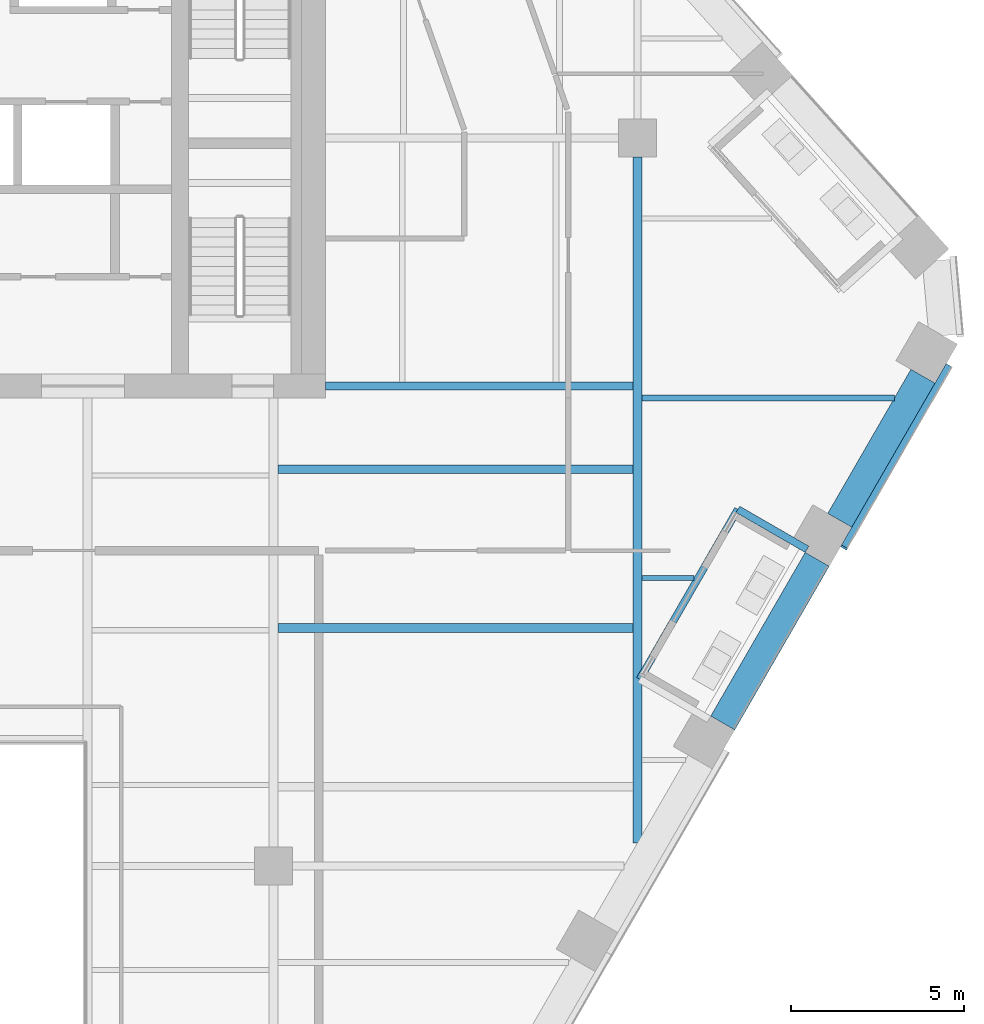
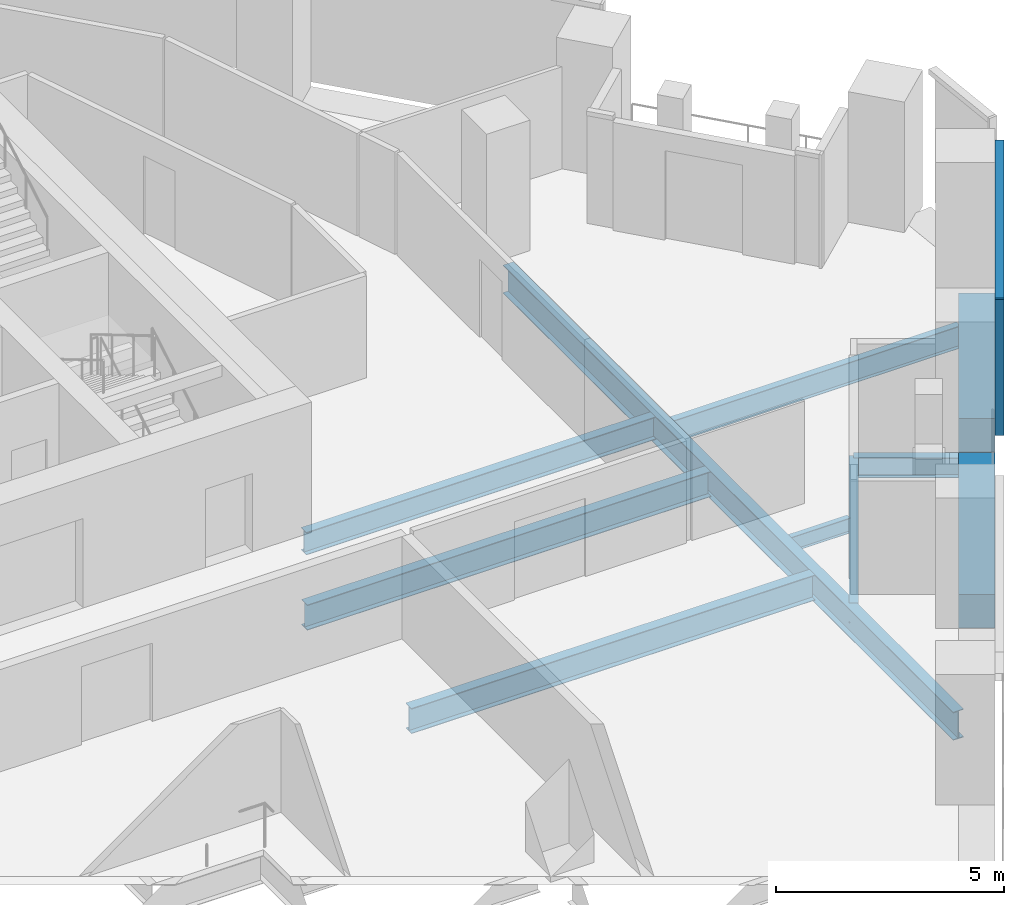
# One storey, part 7 of 26: 10 beams, 2 members, 1 element without a shape of its own.
"""IFC4 building model written with IfcOpenShell, lengths in metres."""

from ifc_helpers import new_model, si_unit, direction, frame, origin, origin_2d, place, context, subcontext, project, spatial, rectangle, i_section, extrude, material, layer, layer_set, material_profile, profile_set, type_object, element, aggregate, save


model = new_model("IFC4")

# Units and contexts
model_context = context("Model", 3, precision=1e-05, world=origin(), true_north=direction((0.0, 1.0)))
body_context = subcontext(model_context, "Body", "Model", "MODEL_VIEW")
ifc_project = project(units=[si_unit("LENGTHUNIT", "METRE"), si_unit("AREAUNIT", "SQUARE_METRE"), si_unit("VOLUMEUNIT", "CUBIC_METRE"), si_unit("PLANEANGLEUNIT", "RADIAN"), si_unit("MASSUNIT", "GRAM", prefix="KILO")], contexts=[model_context])

# Site, building, storey
site_placement = place(None, origin())
site = spatial("IfcSite", under=ifc_project, at=site_placement, CompositionType="ELEMENT")
building_placement = place(site_placement, origin())
building = spatial("IfcBuilding", under=site, at=building_placement, Name="Isthmus Gate Tower", CompositionType="ELEMENT")
storey_placement = place(building_placement, frame((0.0, 0.0, 189.050048828125)))
storey = spatial("IfcBuildingStorey", under=building, at=storey_placement, Name="L47", CompositionType="ELEMENT", Elevation=189.050048828125)

# Curtain wall, members
ifc_material_1 = material(Name="Aluminium, pale champagne anodised", Category="aluminium")
ifc_layer = layer(ifc_material_1, 0.199951171875)
ifc_layer_set = layer_set([ifc_layer], Name="CW-1 UNITISED CURTAIN WALL 200 DEEP")
curtain_wall_type = type_object("IfcCurtainWallType", Name="CW-1 UNITISED CURTAIN WALL 200 DEEP", PredefinedType="NOTDEFINED", material=ifc_layer_set)
curtain_wall_placement = place(storey_placement, origin())
curtain_wall = element("IfcCurtainWall", 1, at=curtain_wall_placement, inside=storey, type_object=curtain_wall_type, Name="CW-1 SE L47", PredefinedType="NOTDEFINED")
ifc_material_2 = material(Name="Aluminium, pale champagne anodised", Category="aluminium")
ifc_material_profile_1 = material_profile(ifc_material_2, rectangle(XDim=0.06005859375, YDim=0.199951171875, at=origin_2d()), Name="60x200")
ifc_profile_set_1 = profile_set([ifc_material_profile_1], Name="Aluminium, pale champagne anodised")
member_type_1 = type_object("IfcMemberType", Name="CW-1 MULLION 60 X 200", PredefinedType="MULLION", material=ifc_profile_set_1)
member_1_placement = place(storey_placement, frame((29.956298828125, -4.314208984375, 0.0), z_axis=(0.0, 0.0, 1.0), x_axis=(0.5, 0.866025403784, 0.0)))
member_1 = element("IfcMember", 2, at=member_1_placement, type_object=member_type_1, Name="CW-1 mullion", PredefinedType="MULLION", context=body_context, shape_type="SweptSolid", body=[
    extrude(rectangle(XDim=0.06005859375, YDim=0.199951171875, at=origin_2d()), origin(), (0.0, 0.0, 1.0), 3.64990234375),
])
ifc_material_3 = material(Name="Aluminium, pale champagne anodised", Category="aluminium")
ifc_material_profile_2 = material_profile(ifc_material_3, rectangle(XDim=0.199951171875, YDim=0.139892578125, at=origin_2d()), Name="200x140")
ifc_profile_set_2 = profile_set([ifc_material_profile_2], Name="Aluminium, pale champagne anodised")
member_type_2 = type_object("IfcMemberType", Name="CW-1 TRANSOM 200 X 140", PredefinedType="USERDEFINED", material=ifc_profile_set_2)
member_2_placement = place(storey_placement, frame((29.97119140625, -4.288330078125, 3.579833984375), z_axis=(0.499990697366, 0.866030774596, 0.0), x_axis=(-0.866030774596, 0.499990697366, 0.0)))
member_2 = element("IfcMember", 3, at=member_2_placement, type_object=member_type_2, Name="CW-1 transom", ObjectType="TRANSOM", PredefinedType="USERDEFINED", context=body_context, shape_type="SweptSolid", body=[
    extrude(rectangle(XDim=0.199951171875, YDim=0.139892578125, at=origin_2d()), origin(), (0.0, 0.0, 1.0), 6.0400390625),
])
aggregate(curtain_wall, [member_1, member_2])

# Beams
ifc_material_4 = material(Name="Concrete f'c 60 MPa", Category="concrete")
ifc_material_profile_3 = material_profile(ifc_material_4, rectangle(XDim=0.800048828125, YDim=0.89990234375, at=origin_2d()), Name="RC 800X900")
ifc_profile_set_3 = profile_set([ifc_material_profile_3], Name="Concrete f'c 60 MPa")
beam_type_1 = type_object("IfcBeamType", Name="RC SPANDREL 800 X 900", PredefinedType="SPANDREL", material=ifc_profile_set_3)
beam_1_placement = place(storey_placement, frame((32.2333984375, 0.629638671875, -0.449951171875), z_axis=(-0.500017431331, -0.866015339567, 0.0), x_axis=(0.866015339567, -0.500017431331, 0.0)))
element("IfcBeam", 4, at=beam_1_placement, inside=storey, type_object=beam_type_1, Name="str-spandrel-L47-06", PredefinedType="SPANDREL", context=body_context, shape_type="SweptSolid", body=[
    extrude(rectangle(XDim=0.800048828125, YDim=0.89990234375, at=origin_2d()), origin(), (0.0, 0.0, 1.0), 4.800048828125),
])
beam_2_placement = place(storey_placement, frame((29.18310546875, -4.653076171875, -0.449951171875), z_axis=(-0.49996933381, -0.866043108194, 0.0), x_axis=(0.866043108194, -0.49996933381, 0.0)))
element("IfcBeam", 5, at=beam_2_placement, inside=storey, type_object=beam_type_1, Name="str-spandrel-L47-07", PredefinedType="SPANDREL", context=body_context, shape_type="SweptSolid", body=[
    extrude(rectangle(XDim=0.800048828125, YDim=0.89990234375, at=origin_2d()), origin(), (0.0, 0.0, 1.0), 5.449951171875),
])
ifc_material_5 = material(Name="Structural steel ASTM A992 Gr 50", Category="steel")
ifc_material_profile_4 = material_profile(ifc_material_5, i_section(OverallWidth=0.1396484375, OverallDepth=0.4033203125, WebThickness=0.00634765625, FlangeThickness=0.010986328125, at=origin_2d()), Name="W16X31")
ifc_profile_set_4 = profile_set([ifc_material_profile_4], Name="Structural steel ASTM A992 Gr 50")
beam_type_2 = type_object("IfcBeamType", Name="STEEL FLOOR BEAM W16X31", PredefinedType="JOIST", material=ifc_profile_set_4)
beam_3_placement = place(storey_placement, frame((24.13330078125, -5.187744140625, -0.3515625), z_axis=(1.0, 0.0, 0.0), x_axis=(0.0, 1.0, 0.0)))
element("IfcBeam", 6, at=beam_3_placement, inside=storey, type_object=beam_type_2, Name="str-beam-L47-19-00", PredefinedType="JOIST", context=body_context, shape_type="SweptSolid", body=[
    extrude(i_section(OverallWidth=0.1396484375, OverallDepth=0.4033203125, WebThickness=0.00634765625, FlangeThickness=0.010986328125, at=origin_2d()), origin(), (0.0, 0.0, 1.0), 1.497314453125),
])
ifc_material_6 = material(Name="Structural steel ASTM A992 Gr 50", Category="steel")
ifc_material_profile_5 = material_profile(ifc_material_6, i_section(OverallWidth=0.177734375, OverallDepth=0.60009765625, WebThickness=0.009521484375, FlangeThickness=0.0126953125, at=origin_2d()), Name="W24X55")
ifc_profile_set_5 = profile_set([ifc_material_profile_5], Name="Structural steel ASTM A992 Gr 50")
beam_type_3 = type_object("IfcBeamType", Name="STEEL FLOOR BEAM W24X55", PredefinedType="JOIST", material=ifc_profile_set_5)
beam_4_placement = place(storey_placement, frame((24.13330078125, -0.00146484375, -0.4501953125), z_axis=(1.0, 0.0, 0.0), x_axis=(0.0, 1.0, 0.0)))
element("IfcBeam", 7, at=beam_4_placement, inside=storey, type_object=beam_type_3, Name="str-beam-L47-19-01", PredefinedType="JOIST", context=body_context, shape_type="SweptSolid", body=[
    extrude(i_section(OverallWidth=0.177734375, OverallDepth=0.60009765625, WebThickness=0.009521484375, FlangeThickness=0.0126953125, at=origin_2d()), origin(), (0.0, 0.0, 1.0), 7.273681640625),
])
ifc_material_7 = material(Name="Structural steel ASTM A992 Gr 50", Category="steel")
ifc_material_profile_6 = material_profile(ifc_material_7, i_section(OverallWidth=0.25390625, OverallDepth=0.679443359375, WebThickness=0.010986328125, FlangeThickness=0.015869140625, at=origin_2d()), Name="W27X84")
ifc_profile_set_6 = profile_set([ifc_material_profile_6], Name="Structural steel ASTM A992 Gr 50")
beam_type_4 = type_object("IfcBeamType", Name="STEEL FLOOR BEAM W27X84", PredefinedType="JOIST", material=ifc_profile_set_6)
for number, where, z_axis, x_axis, name in (
    (8, (13.6318359375, -6.632080078125, -0.48974609375), (1.0, 0.0, 0.0), (0.0, 1.0, 0.0), "str-beam-L47-15-01"),
    (9, (13.6318359375, -2.053466796875, -0.48974609375), (1.0, 0.0, 0.0), (0.0, 1.0, 0.0), "str-beam-L47-15-02"),
):
    element("IfcBeam", number, at=place(storey_placement, frame(where, z_axis=z_axis, x_axis=x_axis)), inside=storey, type_object=beam_type_4, Name=name, PredefinedType="JOIST", context=body_context, shape_type="SweptSolid", body=[
        extrude(i_section(OverallWidth=0.25390625, OverallDepth=0.679443359375, WebThickness=0.010986328125, FlangeThickness=0.015869140625, at=origin_2d()), origin(), (0.0, 0.0, 1.0), 10.23486328125),
    ])
ifc_material_8 = material(Name="Structural steel ASTM A992 Gr 50", Category="steel")
ifc_material_profile_7 = material_profile(ifc_material_8, i_section(OverallWidth=0.228515625, OverallDepth=0.6064453125, WebThickness=0.010986328125, FlangeThickness=0.017578125, at=origin_2d()), Name="W24X76")
ifc_profile_set_7 = profile_set([ifc_material_profile_7], Name="Structural steel ASTM A992 Gr 50")
beam_type_5 = type_object("IfcBeamType", Name="STEEL GIRDER W24X76", PredefinedType="BEAM", material=ifc_profile_set_7)
beam_5_placement = place(storey_placement, frame((15.0, 0.35009765625, -0.453369140625), z_axis=(1.0, 0.0, 0.0), x_axis=(0.0, 1.0, 0.0)))
element("IfcBeam", 10, at=beam_5_placement, inside=storey, type_object=beam_type_5, Name="str-girder-L47-13", PredefinedType="BEAM", context=body_context, shape_type="SweptSolid", body=[
    extrude(i_section(OverallWidth=0.228515625, OverallDepth=0.6064453125, WebThickness=0.010986328125, FlangeThickness=0.017578125, at=origin_2d()), origin(), (0.0, 0.0, 1.0), 8.86669921875),
])
ifc_material_9 = material(Name="Structural steel ASTM A992 Gr 50", Category="steel")
ifc_material_profile_8 = material_profile(ifc_material_9, i_section(OverallWidth=0.2666015625, OverallDepth=0.7587890625, WebThickness=0.014404296875, FlangeThickness=0.01904296875, at=origin_2d()), Name="W30X108")
ifc_profile_set_8 = profile_set([ifc_material_profile_8], Name="Structural steel ASTM A992 Gr 50")
beam_type_6 = type_object("IfcBeamType", Name="STEEL GIRDER W30X108", PredefinedType="BEAM", material=ifc_profile_set_8)
beam_6_placement = place(storey_placement, frame((24.0, -12.830810546875, -0.529541015625), z_axis=(0.0, 1.0, 0.0), x_axis=(-1.0, 0.0, 0.0)))
element("IfcBeam", 11, at=beam_6_placement, inside=storey, type_object=beam_type_6, Name="str-girder-L47-10", PredefinedType="BEAM", context=body_context, shape_type="SweptSolid", body=[
    extrude(i_section(OverallWidth=0.2666015625, OverallDepth=0.7587890625, WebThickness=0.014404296875, FlangeThickness=0.01904296875, at=origin_2d()), origin(), (0.0, 0.0, 1.0), 19.78076171875),
])
ifc_material_10 = material(Name="Structural steel ASTM A992 Gr 50", Category="steel")
ifc_material_profile_9 = material_profile(ifc_material_10, i_section(OverallWidth=0.20947265625, OverallDepth=0.533447265625, WebThickness=0.009521484375, FlangeThickness=0.015869140625, at=origin_2d()), Name="W21X62")
ifc_profile_set_9 = profile_set([ifc_material_profile_9], Name="Structural steel ASTM A992 Gr 50")
beam_type_7 = type_object("IfcBeamType", Name="STEEL TRIMMER W21X62", PredefinedType="BEAM", material=ifc_profile_set_9)
beam_7_placement = place(storey_placement, frame((24.0634765625, -8.111572265625, -0.416748046875), z_axis=(0.500003752798, 0.866023237095, 0.0), x_axis=(-0.866023237095, 0.500003752798, 0.0)))
element("IfcBeam", 12, at=beam_7_placement, inside=storey, type_object=beam_type_7, Name="str-loggiatrim-L47-04-B", PredefinedType="BEAM", context=body_context, shape_type="SweptSolid", body=[
    extrude(i_section(OverallWidth=0.20947265625, OverallDepth=0.533447265625, WebThickness=0.009521484375, FlangeThickness=0.015869140625, at=origin_2d()), origin(), (0.0, 0.0, 1.0), 5.65966796875),
])
beam_8_placement = place(storey_placement, frame((28.88916015625, -4.362548828125, -0.416748046875), z_axis=(-0.866017993231, 0.500012835235, 0.0), x_axis=(-0.500012835235, -0.866017993231, 0.0)))
element("IfcBeam", 13, at=beam_8_placement, inside=storey, type_object=beam_type_7, Name="str-loggiatrim-L47-04-C", PredefinedType="BEAM", context=body_context, shape_type="SweptSolid", body=[
    extrude(i_section(OverallWidth=0.20947265625, OverallDepth=0.533447265625, WebThickness=0.009521484375, FlangeThickness=0.015869140625, at=origin_2d()), origin(), (0.0, 0.0, 1.0), 2.3046875),
])

save(model, "model.ifc")
